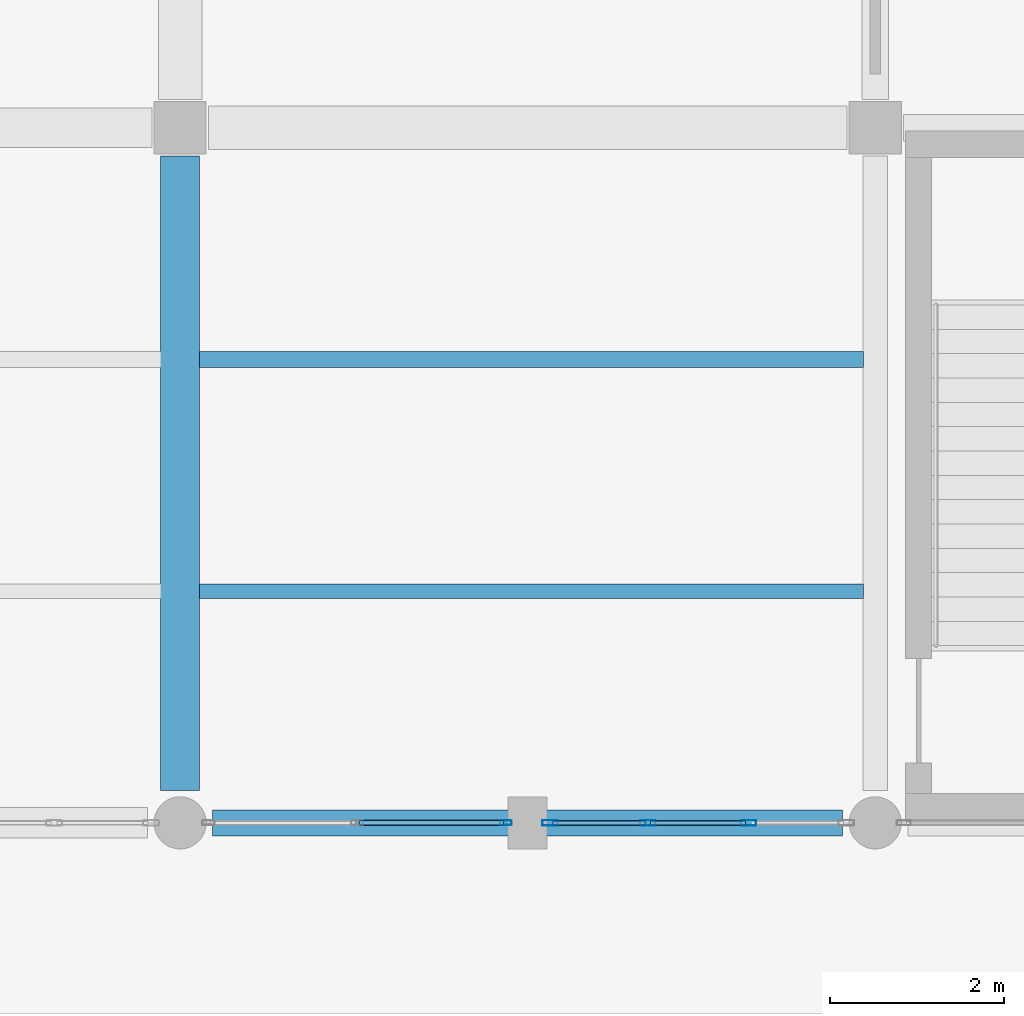
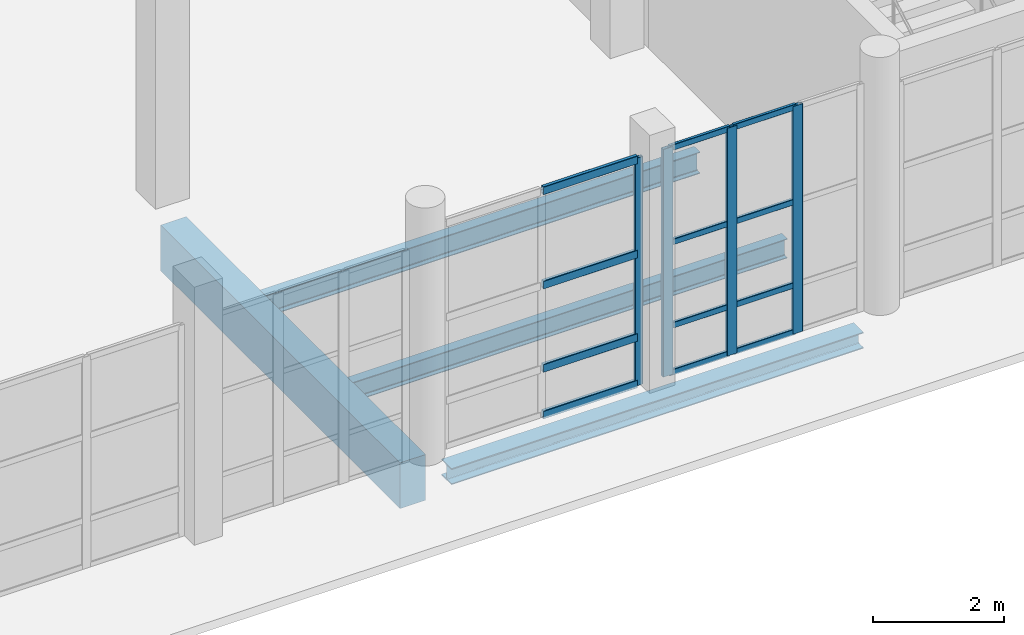
# One storey, part 62 of 156: 16 members, 4 beams, 2 elements without a shape of their own.
"""IFC4 building model written with IfcOpenShell, lengths in metres."""

from ifc_helpers import new_model, si_unit, direction, frame, origin, origin_2d, place, context, subcontext, project, spatial, rectangle, hollow_rectangle, i_section, extrude, material, material_profile, profile_set, type_object, element, aggregate, save


model = new_model("IFC4")

# Units and contexts
model_context = context("Model", 3, precision=1e-05, world=origin(), true_north=direction((0.0, 1.0)))
body_context = subcontext(model_context, "Body", "Model", "MODEL_VIEW")
ifc_project = project(units=[si_unit("LENGTHUNIT", "METRE"), si_unit("AREAUNIT", "SQUARE_METRE"), si_unit("VOLUMEUNIT", "CUBIC_METRE"), si_unit("PLANEANGLEUNIT", "RADIAN"), si_unit("MASSUNIT", "GRAM", prefix="KILO")], contexts=[model_context])

# Site, building, storey
site_placement = place(None, origin())
site = spatial("IfcSite", under=ifc_project, at=site_placement, CompositionType="ELEMENT")
building_placement = place(site_placement, origin())
building = spatial("IfcBuilding", under=site, at=building_placement, Name="Luwemba Playhouse", CompositionType="ELEMENT")
storey_placement = place(building_placement, origin())
storey = spatial("IfcBuildingStorey", under=building, at=storey_placement, Name="L00", CompositionType="ELEMENT", Elevation=0.0)

# Beams
ifc_material_1 = material(Name="Concrete C40/50", Category="concrete")
ifc_material_profile_1 = material_profile(ifc_material_1, rectangle(XDim=0.449951171875, YDim=0.85009765625, at=origin_2d()))
ifc_profile_set_1 = profile_set([ifc_material_profile_1], Name="Concrete C40/50")
beam_type_1 = type_object("IfcBeamType", Name="BM-RB05", PredefinedType="BEAM", material=ifc_profile_set_1)
beam_1_placement = place(storey_placement, frame((156.0, 3.375, -0.72509765625), z_axis=(0.0, 1.0, 0.0), x_axis=(-1.0, 0.0, 0.0)))
element("IfcBeam", 1, at=beam_1_placement, inside=storey, type_object=beam_type_1, Name="L00 transverse girder 0245", PredefinedType="BEAM", context=body_context, shape_type="SweptSolid", body=[
    extrude(rectangle(XDim=0.449951171875, YDim=0.85009765625, at=origin_2d()), origin(), (0.0, 0.0, 1.0), 7.300048828125),
])
ifc_material_2 = material(Name="Steel S355", Category="steel")
ifc_material_profile_2 = material_profile(ifc_material_2, i_section(OverallWidth=0.169921875, OverallDepth=0.360107421875, WebThickness=0.008056640625, FlangeThickness=0.0126953125, FilletRadius=0.01806640625, at=origin_2d()))
ifc_profile_set_2 = profile_set([ifc_material_profile_2], Name="Steel S355")
beam_type_2 = type_object("IfcBeamType", Name="BM-SJ07", PredefinedType="JOIST", material=ifc_profile_set_2)
beam_2_placement = place(storey_placement, frame((156.220947265625, 5.666748046875, -0.47998046875), z_axis=(1.0, 0.0, 0.0), x_axis=(0.0, 1.0, 0.0)))
element("IfcBeam", 2, at=beam_2_placement, inside=storey, type_object=beam_type_2, Name="L00 composite floor joist 0183", PredefinedType="JOIST", context=body_context, shape_type="SweptSolid", body=[
    extrude(i_section(OverallWidth=0.169921875, OverallDepth=0.360107421875, WebThickness=0.008056640625, FlangeThickness=0.0126953125, FilletRadius=0.01806640625, at=origin_2d()), origin(), (0.0, 0.0, 1.0), 7.64306640625),
])
ifc_material_profile_3 = material_profile(ifc_material_2, i_section(OverallWidth=0.179931640625, OverallDepth=0.39990234375, WebThickness=0.008544921875, FlangeThickness=0.013427734375, FilletRadius=0.02099609375, at=origin_2d()))
ifc_profile_set_3 = profile_set([ifc_material_profile_3], Name="Steel S355")
beam_type_3 = type_object("IfcBeamType", Name="BM-SJ08", PredefinedType="JOIST", material=ifc_profile_set_3)
beam_3_placement = place(storey_placement, frame((156.220947265625, 8.333251953125, -0.5), z_axis=(1.0, 0.0, 0.0), x_axis=(0.0, 1.0, 0.0)))
element("IfcBeam", 3, at=beam_3_placement, inside=storey, type_object=beam_type_3, Name="L00 composite floor joist 0184", PredefinedType="JOIST", context=body_context, shape_type="SweptSolid", body=[
    extrude(i_section(OverallWidth=0.179931640625, OverallDepth=0.39990234375, WebThickness=0.008544921875, FlangeThickness=0.013427734375, FilletRadius=0.02099609375, at=origin_2d()), origin(), (0.0, 0.0, 1.0), 7.64306640625),
])
ifc_material_profile_4 = material_profile(ifc_material_2, i_section(OverallWidth=0.300048828125, OverallDepth=0.300048828125, WebThickness=0.010986328125, FlangeThickness=0.01904296875, FilletRadius=0.027099609375, at=origin_2d()))
ifc_profile_set_4 = profile_set([ifc_material_profile_4], Name="Steel S355")
beam_type_4 = type_object("IfcBeamType", Name="BM-SSP1", PredefinedType="SPANDREL", material=ifc_profile_set_4)
beam_4_placement = place(storey_placement, frame((156.375, 3.0, -0.449951171875), z_axis=(1.0, 0.0, 0.0), x_axis=(0.0, 1.0, 0.0)))
element("IfcBeam", 4, at=beam_4_placement, inside=storey, type_object=beam_type_4, Name="L00 grid girder 0207", PredefinedType="SPANDREL", context=body_context, shape_type="SweptSolid", body=[
    extrude(i_section(OverallWidth=0.300048828125, OverallDepth=0.300048828125, WebThickness=0.010986328125, FlangeThickness=0.01904296875, FilletRadius=0.027099609375, at=origin_2d()), origin(), (0.0, 0.0, 1.0), 7.25),
])

# Curtain wall, members
ifc_material_3 = material(Name="Solar-control double glazing", Category="glass")
curtain_wall_type_1 = type_object("IfcCurtainWallType", Name="CW-CW61", PredefinedType="USERDEFINED", material=ifc_material_3)
curtain_wall_1_placement = place(storey_placement, origin())
curtain_wall_1 = element("IfcCurtainWall", 5, at=curtain_wall_1_placement, inside=storey, type_object=curtain_wall_type_1, Name="L00 V5E unitised curtain wall 072", ObjectType="UNITISED GLAZING", PredefinedType="USERDEFINED")
ifc_material_4 = material(Name="Aluminium 6063-T6", Category="aluminium")
ifc_material_profile_5 = material_profile(ifc_material_4, hollow_rectangle(XDim=0.06494140625, YDim=0.179931640625, WallThickness=0.00439453125, InnerFilletRadius=0.0068359375, OuterFilletRadius=0.01123046875, at=origin_2d()))
ifc_profile_set_5 = profile_set([ifc_material_profile_5], Name="Aluminium 6063-T6")
member_type_1 = type_object("IfcMemberType", Name="CWM-M2", PredefinedType="MULLION", material=ifc_profile_set_5)
member_1_placement = place(storey_placement, frame((162.541748046875, 3.0, 0.0), z_axis=(0.0, 0.0, 1.0), x_axis=(0.0, -1.0, 0.0)))
member_1 = element("IfcMember", 6, at=member_1_placement, type_object=member_type_1, Name="CW61 mullion 2", PredefinedType="MULLION", context=body_context, shape_type="SweptSolid", body=[
    extrude(hollow_rectangle(XDim=0.06494140625, YDim=0.179931640625, WallThickness=0.00439453125, InnerFilletRadius=0.0068359375, OuterFilletRadius=0.01123046875, at=origin_2d()), origin(), (0.0, 0.0, 1.0), 4.235107421875),
])
member_2_placement = place(storey_placement, frame((161.38330078125, 3.0, 0.0), z_axis=(0.0, 0.0, 1.0), x_axis=(0.0, -1.0, 0.0)))
member_2 = element("IfcMember", 7, at=member_2_placement, type_object=member_type_1, Name="CW61 mullion 3", PredefinedType="MULLION", context=body_context, shape_type="SweptSolid", body=[
    extrude(hollow_rectangle(XDim=0.06494140625, YDim=0.179931640625, WallThickness=0.00439453125, InnerFilletRadius=0.0068359375, OuterFilletRadius=0.01123046875, at=origin_2d()), origin(), (0.0, 0.0, 1.0), 4.235107421875),
])
member_3_placement = place(storey_placement, frame((160.257568359375, 3.0, 0.0), z_axis=(0.0, 0.0, 1.0), x_axis=(0.0, -1.0, 0.0)))
member_3 = element("IfcMember", 8, at=member_3_placement, type_object=member_type_1, Name="CW61 mullion 4", PredefinedType="MULLION", context=body_context, shape_type="SweptSolid", body=[
    extrude(hollow_rectangle(XDim=0.06494140625, YDim=0.179931640625, WallThickness=0.00439453125, InnerFilletRadius=0.0068359375, OuterFilletRadius=0.01123046875, at=origin_2d()), origin(), (0.0, 0.0, 1.0), 4.235107421875),
])

# Curtain wall, member
curtain_wall_type_2 = type_object("IfcCurtainWallType", Name="CW-CW62", PredefinedType="USERDEFINED", material=ifc_material_3)
curtain_wall_2_placement = place(storey_placement, origin())
curtain_wall_2 = element("IfcCurtainWall", 9, at=curtain_wall_2_placement, inside=storey, type_object=curtain_wall_type_2, Name="L00 V5E unitised curtain wall 073", ObjectType="UNITISED GLAZING", PredefinedType="USERDEFINED")
ifc_material_profile_6 = material_profile(ifc_material_4, hollow_rectangle(XDim=0.054931640625, YDim=0.139892578125, WallThickness=0.00390625, InnerFilletRadius=0.006103515625, OuterFilletRadius=0.010009765625, at=origin_2d()))
ifc_profile_set_6 = profile_set([ifc_material_profile_6], Name="Aluminium 6063-T6")
member_type_2 = type_object("IfcMemberType", Name="CWM-M3", PredefinedType="MULLION", material=ifc_profile_set_6)
member_4_placement = place(storey_placement, frame((159.74755859375, 3.0, 0.0), z_axis=(0.0, 0.0, 1.0), x_axis=(0.0, -1.0, 0.0)))
member_4 = element("IfcMember", 10, at=member_4_placement, type_object=member_type_2, Name="CW62 mullion 1", PredefinedType="MULLION", context=body_context, shape_type="SweptSolid", body=[
    extrude(hollow_rectangle(XDim=0.054931640625, YDim=0.139892578125, WallThickness=0.00390625, InnerFilletRadius=0.006103515625, OuterFilletRadius=0.010009765625, at=origin_2d()), origin(), (0.0, 0.0, 1.0), 4.235107421875),
])

# Member
ifc_material_profile_7 = material_profile(ifc_material_4, hollow_rectangle(XDim=0.054931640625, YDim=0.110107421875, WallThickness=0.00341796875, InnerFilletRadius=0.00537109375, OuterFilletRadius=0.0087890625, at=origin_2d()))
ifc_profile_set_7 = profile_set([ifc_material_profile_7], Name="Aluminium 6063-T6")
member_type_3 = type_object("IfcMemberType", Name="CWT-T2", PredefinedType="USERDEFINED", material=ifc_profile_set_7)
member_5_placement = place(storey_placement, frame((162.50927734375, 3.0, 0.027587890625), z_axis=(-1.0, 0.0, 0.0), x_axis=(0.0, -1.0, 0.0)))
member_5 = element("IfcMember", 11, at=member_5_placement, type_object=member_type_3, Name="CW61 transom 2.1", ObjectType="TRANSOM", PredefinedType="USERDEFINED", context=body_context, shape_type="SweptSolid", body=[
    extrude(hollow_rectangle(XDim=0.054931640625, YDim=0.110107421875, WallThickness=0.00341796875, InnerFilletRadius=0.00537109375, OuterFilletRadius=0.0087890625, at=origin_2d()), origin(), (0.0, 0.0, 1.0), 1.093505859375),
])

member_6_placement = place(storey_placement, frame((162.50927734375, 3.0, 0.89990234375), z_axis=(-1.0, 0.0, 0.0), x_axis=(0.0, -1.0, 0.0)))
member_6 = element("IfcMember", 12, at=member_6_placement, type_object=member_type_3, Name="CW61 transom 2.2", ObjectType="TRANSOM", PredefinedType="USERDEFINED", context=body_context, shape_type="SweptSolid", body=[
    extrude(hollow_rectangle(XDim=0.054931640625, YDim=0.110107421875, WallThickness=0.00341796875, InnerFilletRadius=0.00537109375, OuterFilletRadius=0.0087890625, at=origin_2d()), origin(), (0.0, 0.0, 1.0), 1.093505859375),
])

member_7_placement = place(storey_placement, frame((162.50927734375, 3.0, 2.449951171875), z_axis=(-1.0, 0.0, 0.0), x_axis=(0.0, -1.0, 0.0)))
member_7 = element("IfcMember", 13, at=member_7_placement, type_object=member_type_3, Name="CW61 transom 2.3", ObjectType="TRANSOM", PredefinedType="USERDEFINED", context=body_context, shape_type="SweptSolid", body=[
    extrude(hollow_rectangle(XDim=0.054931640625, YDim=0.110107421875, WallThickness=0.00341796875, InnerFilletRadius=0.00537109375, OuterFilletRadius=0.0087890625, at=origin_2d()), origin(), (0.0, 0.0, 1.0), 1.093505859375),
])

member_8_placement = place(storey_placement, frame((162.50927734375, 3.0, 4.20751953125), z_axis=(-1.0, 0.0, 0.0), x_axis=(0.0, -1.0, 0.0)))
member_8 = element("IfcMember", 14, at=member_8_placement, type_object=member_type_3, Name="CW61 transom 2.4", ObjectType="TRANSOM", PredefinedType="USERDEFINED", context=body_context, shape_type="SweptSolid", body=[
    extrude(hollow_rectangle(XDim=0.054931640625, YDim=0.110107421875, WallThickness=0.00341796875, InnerFilletRadius=0.00537109375, OuterFilletRadius=0.0087890625, at=origin_2d()), origin(), (0.0, 0.0, 1.0), 1.093505859375),
])

member_9_placement = place(storey_placement, frame((161.350830078125, 3.0, 0.027587890625), z_axis=(-1.0, 0.0, 0.0), x_axis=(0.0, -1.0, 0.0)))
member_9 = element("IfcMember", 15, at=member_9_placement, type_object=member_type_3, Name="CW61 transom 3.1", ObjectType="TRANSOM", PredefinedType="USERDEFINED", context=body_context, shape_type="SweptSolid", body=[
    extrude(hollow_rectangle(XDim=0.054931640625, YDim=0.110107421875, WallThickness=0.00341796875, InnerFilletRadius=0.00537109375, OuterFilletRadius=0.0087890625, at=origin_2d()), origin(), (0.0, 0.0, 1.0), 1.060791015625),
])

member_10_placement = place(storey_placement, frame((161.350830078125, 3.0, 0.89990234375), z_axis=(-1.0, 0.0, 0.0), x_axis=(0.0, -1.0, 0.0)))
member_10 = element("IfcMember", 16, at=member_10_placement, type_object=member_type_3, Name="CW61 transom 3.2", ObjectType="TRANSOM", PredefinedType="USERDEFINED", context=body_context, shape_type="SweptSolid", body=[
    extrude(hollow_rectangle(XDim=0.054931640625, YDim=0.110107421875, WallThickness=0.00341796875, InnerFilletRadius=0.00537109375, OuterFilletRadius=0.0087890625, at=origin_2d()), origin(), (0.0, 0.0, 1.0), 1.060791015625),
])

member_11_placement = place(storey_placement, frame((161.350830078125, 3.0, 2.449951171875), z_axis=(-1.0, 0.0, 0.0), x_axis=(0.0, -1.0, 0.0)))
member_11 = element("IfcMember", 17, at=member_11_placement, type_object=member_type_3, Name="CW61 transom 3.3", ObjectType="TRANSOM", PredefinedType="USERDEFINED", context=body_context, shape_type="SweptSolid", body=[
    extrude(hollow_rectangle(XDim=0.054931640625, YDim=0.110107421875, WallThickness=0.00341796875, InnerFilletRadius=0.00537109375, OuterFilletRadius=0.0087890625, at=origin_2d()), origin(), (0.0, 0.0, 1.0), 1.060791015625),
])

member_12_placement = place(storey_placement, frame((161.350830078125, 3.0, 4.20751953125), z_axis=(-1.0, 0.0, 0.0), x_axis=(0.0, -1.0, 0.0)))
member_12 = element("IfcMember", 18, at=member_12_placement, type_object=member_type_3, Name="CW61 transom 3.4", ObjectType="TRANSOM", PredefinedType="USERDEFINED", context=body_context, shape_type="SweptSolid", body=[
    extrude(hollow_rectangle(XDim=0.054931640625, YDim=0.110107421875, WallThickness=0.00341796875, InnerFilletRadius=0.00537109375, OuterFilletRadius=0.0087890625, at=origin_2d()), origin(), (0.0, 0.0, 1.0), 1.060791015625),
])

aggregate(curtain_wall_1, [member_1, member_2, member_3, member_5, member_6, member_7, member_8, member_9, member_10, member_11, member_12])

ifc_material_profile_8 = material_profile(ifc_material_4, hollow_rectangle(XDim=0.06494140625, YDim=0.14990234375, WallThickness=0.00390625, InnerFilletRadius=0.006103515625, OuterFilletRadius=0.010009765625, at=origin_2d()))
ifc_profile_set_8 = profile_set([ifc_material_profile_8], Name="Aluminium 6063-T6")
member_type_4 = type_object("IfcMemberType", Name="CWT-T3", PredefinedType="USERDEFINED", material=ifc_profile_set_8)
member_13_placement = place(storey_placement, frame((159.719970703125, 3.0, 0.032470703125), z_axis=(-1.0, 0.0, 0.0), x_axis=(0.0, -1.0, 0.0)))
member_13 = element("IfcMember", 19, at=member_13_placement, type_object=member_type_4, Name="CW62 transom 1.1", ObjectType="TRANSOM", PredefinedType="USERDEFINED", context=body_context, shape_type="SweptSolid", body=[
    extrude(hollow_rectangle(XDim=0.06494140625, YDim=0.14990234375, WallThickness=0.00390625, InnerFilletRadius=0.006103515625, OuterFilletRadius=0.010009765625, at=origin_2d()), origin(), (0.0, 0.0, 1.0), 1.655029296875),
])

member_14_placement = place(storey_placement, frame((159.719970703125, 3.0, 0.89990234375), z_axis=(-1.0, 0.0, 0.0), x_axis=(0.0, -1.0, 0.0)))
member_14 = element("IfcMember", 20, at=member_14_placement, type_object=member_type_4, Name="CW62 transom 1.2", ObjectType="TRANSOM", PredefinedType="USERDEFINED", context=body_context, shape_type="SweptSolid", body=[
    extrude(hollow_rectangle(XDim=0.06494140625, YDim=0.14990234375, WallThickness=0.00390625, InnerFilletRadius=0.006103515625, OuterFilletRadius=0.010009765625, at=origin_2d()), origin(), (0.0, 0.0, 1.0), 1.655029296875),
])

member_15_placement = place(storey_placement, frame((159.719970703125, 3.0, 2.449951171875), z_axis=(-1.0, 0.0, 0.0), x_axis=(0.0, -1.0, 0.0)))
member_15 = element("IfcMember", 21, at=member_15_placement, type_object=member_type_4, Name="CW62 transom 1.3", ObjectType="TRANSOM", PredefinedType="USERDEFINED", context=body_context, shape_type="SweptSolid", body=[
    extrude(hollow_rectangle(XDim=0.06494140625, YDim=0.14990234375, WallThickness=0.00390625, InnerFilletRadius=0.006103515625, OuterFilletRadius=0.010009765625, at=origin_2d()), origin(), (0.0, 0.0, 1.0), 1.655029296875),
])

member_16_placement = place(storey_placement, frame((159.719970703125, 3.0, 4.202392578125), z_axis=(-1.0, 0.0, 0.0), x_axis=(0.0, -1.0, 0.0)))
member_16 = element("IfcMember", 22, at=member_16_placement, type_object=member_type_4, Name="CW62 transom 1.4", ObjectType="TRANSOM", PredefinedType="USERDEFINED", context=body_context, shape_type="SweptSolid", body=[
    extrude(hollow_rectangle(XDim=0.06494140625, YDim=0.14990234375, WallThickness=0.00390625, InnerFilletRadius=0.006103515625, OuterFilletRadius=0.010009765625, at=origin_2d()), origin(), (0.0, 0.0, 1.0), 1.655029296875),
])

aggregate(curtain_wall_2, [member_4, member_13, member_14, member_15, member_16])

save(model, "model.ifc")
